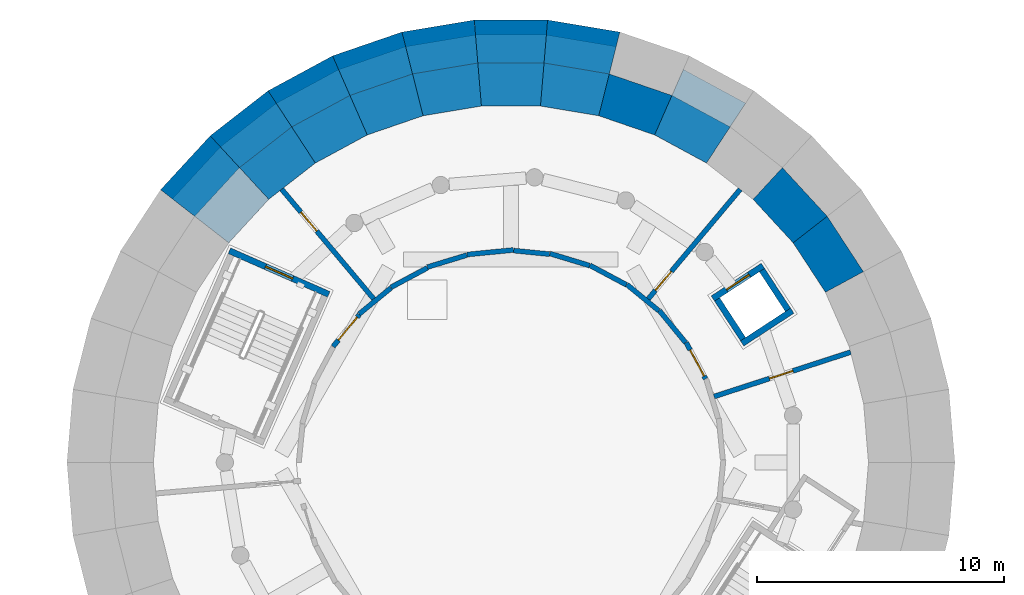
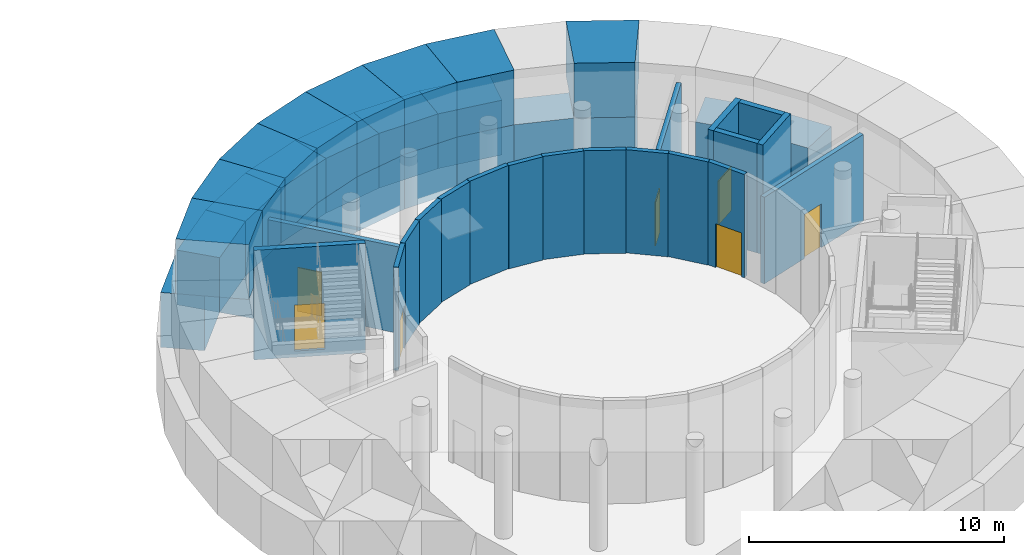
# One storey, part 72 of 125: 44 walls, 7 doors, 7 openings.
"""IFC4 building model written with IfcOpenShell, lengths in metres."""

from ifc_helpers import new_model, si_unit, direction, frame, frame_2d, origin, place, context, subcontext, project, spatial, polyline, rectangle, outline, extrude, material, layer, layer_set, type_object, element, fill, save


model = new_model("IFC4")

# Units and contexts
model_context = context("Model", 3, precision=1e-05, world=origin(), true_north=direction((0.0, 1.0)))
body_context = subcontext(model_context, "Body", "Model", "MODEL_VIEW")
ifc_project = project(units=[si_unit("LENGTHUNIT", "METRE"), si_unit("AREAUNIT", "SQUARE_METRE"), si_unit("VOLUMEUNIT", "CUBIC_METRE"), si_unit("PLANEANGLEUNIT", "RADIAN"), si_unit("MASSUNIT", "GRAM", prefix="KILO")], contexts=[model_context])

# Site, building, storey
site_placement = place(None, origin())
site = spatial("IfcSite", under=ifc_project, at=site_placement, CompositionType="ELEMENT")
building_placement = place(site_placement, origin())
building = spatial("IfcBuilding", under=site, at=building_placement, Name="Sun Court Science Centre", CompositionType="ELEMENT")
storey_placement = place(building_placement, frame((0.0, 0.0, 6.0)))
storey = spatial("IfcBuildingStorey", under=building, at=storey_placement, Name="L01", CompositionType="ELEMENT", Elevation=6.0)

# Wall, opening, door
ifc_material_1 = material(Name="Concrete block", Category="concrete")
ifc_layer_1 = layer(ifc_material_1, 0.199951171875)
ifc_layer_set_1 = layer_set([ifc_layer_1], Name="Concrete block")
wall_type_1 = type_object("IfcWallType", Name="Partition 200 block EI60", PredefinedType="PARTITIONING", material=ifc_layer_set_1)
wall_1_placement = place(storey_placement, frame((64.76953125, 101.27099609375, 0.0), z_axis=(0.0, 0.0, 1.0), x_axis=(-0.951052572977, -0.309029130398, 0.0)))
wall_1 = element("IfcWall", 1, at=wall_1_placement, inside=storey, type_object=wall_type_1, Name="L01 partition 006", PredefinedType="PARTITIONING", context=body_context, shape_type="SweptSolid", body=[
    extrude(rectangle(XDim=5.81689453125, YDim=0.199951171875, at=frame_2d((2.908447265625, 0.0))), origin(), (0.0, 0.0, 1.0), 4.14990234375),
])
opening_1_placement = place(wall_1_placement, frame((2.457275390625, 0.0, 0.0)))
opening_1 = element("IfcOpeningElement", 2, at=opening_1_placement, cuts=wall_1, Name="Opening D-L01-064", PredefinedType="OPENING", context=body_context, shape_type="SweptSolid", body=[
    extrude(rectangle(XDim=1.0, YDim=2.10009765625, at=frame_2d((0.5, 1.050048828125))), frame((0.0, 0.10986328125, 0.0), z_axis=(0.0, -1.0, 0.0), x_axis=(1.0, 0.0, 0.0)), (0.0, 0.0, 1.0), 0.219970703125),
])
ifc_material_2 = material(Name="Timber", Category="wood")
door_type_1 = type_object("IfcDoorType", Name="Door 1000x2100 single leaf", OperationType="NOTDEFINED", PredefinedType="DOOR", material=ifc_material_2)
door_1_placement = place(opening_1_placement, origin())
door_1 = element("IfcDoor", 3, at=door_1_placement, inside=storey, type_object=door_type_1, Name="Door D-L01-064", OperationType="SINGLE_SWING_LEFT", OverallHeight=2.10009765625, OverallWidth=1.0, PredefinedType="DOOR", context=body_context, shape_type="SweptSolid", body=[
    extrude(rectangle(XDim=1.0, YDim=2.10009765625, at=frame_2d((0.5, 1.050048828125))), frame((0.0, 0.02490234375, 0.0), z_axis=(0.0, -1.0, 0.0), x_axis=(1.0, 0.0, 0.0)), (0.0, 0.0, 1.0), 0.050048828125),
])
fill(opening_1, door_1)

wall_2_placement = place(storey_placement, frame((43.788818359375, 101.498046875, 0.0), z_axis=(0.0, 0.0, 1.0), x_axis=(0.634421768811, 0.772987075739, 0.0)))
wall_2 = element("IfcWall", 4, at=wall_2_placement, inside=storey, type_object=wall_type_1, Name="L01 partition 013", PredefinedType="PARTITIONING", context=body_context, shape_type="SweptSolid", body=[
    extrude(rectangle(XDim=1.672119140625, YDim=0.199951171875, at=frame_2d((0.8359375, 0.0))), origin(), (0.0, 0.0, 1.0), 4.949951171875),
])
opening_2_placement = place(wall_2_placement, frame((0.343994140625, 0.0, 0.0)))
opening_2 = element("IfcOpeningElement", 5, at=opening_2_placement, cuts=wall_2, Name="Opening D-L01-061", PredefinedType="OPENING", context=body_context, shape_type="SweptSolid", body=[
    extrude(rectangle(XDim=1.199951171875, YDim=2.10009765625, at=frame_2d((0.60009765625, 1.050048828125))), frame((0.0, 0.10986328125, 0.0), z_axis=(0.0, -1.0, 0.0), x_axis=(1.0, 0.0, 0.0)), (0.0, 0.0, 1.0), 0.219970703125),
])
ifc_material_3 = material(Name="Timber", Category="wood")
door_type_2 = type_object("IfcDoorType", Name="Door 1200x2100 single leaf", OperationType="NOTDEFINED", PredefinedType="DOOR", material=ifc_material_3)
door_2_placement = place(opening_2_placement, origin())
door_2 = element("IfcDoor", 6, at=door_2_placement, inside=storey, type_object=door_type_2, Name="Door D-L01-061", OperationType="SINGLE_SWING_LEFT", OverallHeight=2.10009765625, OverallWidth=1.199951171875, PredefinedType="DOOR", context=body_context, shape_type="SweptSolid", body=[
    extrude(rectangle(XDim=1.199951171875, YDim=2.10009765625, at=frame_2d((0.60009765625, 1.050048828125))), frame((0.0, 0.02490234375, 0.0), z_axis=(0.0, -1.0, 0.0), x_axis=(1.0, 0.0, 0.0)), (0.0, 0.0, 1.0), 0.050048828125),
])
fill(opening_2, door_2)

wall_3_placement = place(storey_placement, frame((58.102783203125, 101.665771484375, 0.0), z_axis=(0.0, 0.0, 1.0), x_axis=(0.471520219227, -0.881855250515, 0.0)))
wall_3 = element("IfcWall", 7, at=wall_3_placement, inside=storey, type_object=wall_type_1, Name="L01 partition 026", PredefinedType="PARTITIONING", context=body_context, shape_type="SweptSolid", body=[
    extrude(rectangle(XDim=1.671875, YDim=0.199951171875, at=frame_2d((0.8359375, 0.0))), origin(), (0.0, 0.0, 1.0), 4.949951171875),
])
opening_3_placement = place(wall_3_placement, frame((0.342529296875, 0.0, 0.0)))
opening_3 = element("IfcOpeningElement", 8, at=opening_3_placement, cuts=wall_3, Name="Opening D-L01-062", PredefinedType="OPENING", context=body_context, shape_type="SweptSolid", body=[
    extrude(rectangle(XDim=1.199951171875, YDim=2.10009765625, at=frame_2d((0.60009765625, 1.050048828125))), frame((0.0, 0.10986328125, 0.0), z_axis=(0.0, -1.0, 0.0), x_axis=(1.0, 0.0, 0.0)), (0.0, 0.0, 1.0), 0.219970703125),
])
door_3_placement = place(opening_3_placement, origin())
door_3 = element("IfcDoor", 9, at=door_3_placement, inside=storey, type_object=door_type_2, Name="Door D-L01-062", OperationType="SINGLE_SWING_LEFT", OverallHeight=2.10009765625, OverallWidth=1.199951171875, PredefinedType="DOOR", context=body_context, shape_type="SweptSolid", body=[
    extrude(rectangle(XDim=1.199951171875, YDim=2.10009765625, at=frame_2d((0.60009765625, 1.050048828125))), frame((0.0, 0.02490234375, 0.0), z_axis=(0.0, -1.0, 0.0), x_axis=(1.0, 0.0, 0.0)), (0.0, 0.0, 1.0), 0.050048828125),
])
fill(opening_3, door_3)

# Walls
wall_4_placement = place(storey_placement, frame((58.077392578125, 101.6650390625, 0.0), z_axis=(0.0, 0.0, 1.0), x_axis=(-0.634350169953, 0.773045834269, 0.0)))
element("IfcWall", 10, at=wall_4_placement, inside=storey, type_object=wall_type_1, Name="L01 partition 028", PredefinedType="PARTITIONING", context=body_context, shape_type="SweptSolid", body=[
    extrude(rectangle(XDim=1.67236328125, YDim=0.199951171875, at=frame_2d((0.836181640625, 0.0))), origin(), (0.0, 0.0, 1.0), 4.949951171875),
])
ifc_material_4 = material(Name="Concrete block", Category="concrete")
ifc_layer_2 = layer(ifc_material_4, 0.199951171875)
ifc_layer_set_2 = layer_set([ifc_layer_2], Name="Concrete block")
wall_type_2 = type_object("IfcWallType", Name="Partition 200 projection room block EI180", PredefinedType="PARTITIONING", material=ifc_layer_set_2)
wall_5_placement = place(storey_placement, frame((49.22216796875, 105.2294921875, 0.0), z_axis=(0.0, 0.0, 1.0), x_axis=(0.995187275823, 0.097991254916, 0.0)))
element("IfcWall", 11, at=wall_5_placement, inside=storey, type_object=wall_type_2, Name="L01 partition 003", PredefinedType="PARTITIONING", context=body_context, shape_type="SweptSolid", body=[
    extrude(rectangle(XDim=1.885986328125, YDim=0.199951171875, at=frame_2d((0.94287109375, 0.0))), origin(), (0.0, 0.0, 1.0), 4.949951171875),
])
for number, where, z_axis, x_axis, name in (
    (12, (47.61181640625, 104.720703125, 0.0), (0.0, 0.0, 1.0), (0.956954422545, 0.2902382352, 0.0), "L01 partition 005"),
    (13, (46.135498046875, 103.900634765625, 0.0), (0.0, 0.0, 1.0), (0.881896107333, 0.471443799271, 0.0), "L01 partition 008"),
):
    element("IfcWall", number, at=place(storey_placement, frame(where, z_axis=z_axis, x_axis=x_axis)), inside=storey, type_object=wall_type_2, Name=name, PredefinedType="PARTITIONING", context=body_context, shape_type="SweptSolid", body=[
        extrude(rectangle(XDim=1.673095703125, YDim=0.199951171875, at=frame_2d((0.83642578125, 0.0))), origin(), (0.0, 0.0, 1.0), 4.949951171875),
    ])
wall_6_placement = place(storey_placement, frame((44.84326171875, 102.81591796875, 0.0), z_axis=(0.0, 0.0, 1.0), x_axis=(0.772941126344, 0.634477749969, 0.0)))
element("IfcWall", 14, at=wall_6_placement, inside=storey, type_object=wall_type_2, Name="L01 partition 010", PredefinedType="PARTITIONING", context=body_context, shape_type="SweptSolid", body=[
    extrude(rectangle(XDim=1.671630859375, YDim=0.199951171875, at=frame_2d((0.8359375, 0.0))), origin(), (0.0, 0.0, 1.0), 4.949951171875),
])

# Wall, opening, door
wall_7_placement = place(storey_placement, frame((56.568115234375, 103.431396484375, 0.0), z_axis=(0.0, 0.0, 1.0), x_axis=(0.642810803577, 0.766024980535, 0.0)))
wall_7 = element("IfcWall", 15, at=wall_7_placement, inside=storey, type_object=wall_type_2, Name="L01 partition 011", PredefinedType="PARTITIONING", context=body_context, shape_type="SweptSolid", body=[
    extrude(rectangle(XDim=5.797607421875, YDim=0.199951171875, at=frame_2d((2.89892578125, 0.0))), origin(), (0.0, 0.0, 1.0), 4.14990234375),
])
opening_4_placement = place(wall_7_placement, frame((0.453857421875, 0.0, 0.0)))
opening_4 = element("IfcOpeningElement", 16, at=opening_4_placement, cuts=wall_7, Name="Opening D-L01-065", PredefinedType="OPENING", context=body_context, shape_type="SweptSolid", body=[
    extrude(rectangle(XDim=1.0, YDim=2.10009765625, at=frame_2d((0.5, 1.050048828125))), frame((0.0, 0.10986328125, 0.0), z_axis=(0.0, -1.0, 0.0), x_axis=(1.0, 0.0, 0.0)), (0.0, 0.0, 1.0), 0.219970703125),
])
door_4_placement = place(opening_4_placement, origin())
door_4 = element("IfcDoor", 17, at=door_4_placement, inside=storey, type_object=door_type_1, Name="Door D-L01-065", OperationType="SINGLE_SWING_RIGHT", OverallHeight=2.10009765625, OverallWidth=1.0, PredefinedType="DOOR", context=body_context, shape_type="SweptSolid", body=[
    extrude(rectangle(XDim=1.0, YDim=2.10009765625, at=frame_2d((0.5, 1.050048828125))), frame((0.0, 0.02490234375, 0.0), z_axis=(0.0, -1.0, 0.0), x_axis=(1.0, 0.0, 0.0)), (0.0, 0.0, 1.0), 0.050048828125),
])
fill(opening_4, door_4)

wall_8_placement = place(storey_placement, frame((41.707763671875, 107.87451171875, 0.0), z_axis=(0.0, 0.0, 1.0), x_axis=(0.642761379623, -0.76606645199, 0.0)))
wall_8 = element("IfcWall", 18, at=wall_8_placement, inside=storey, type_object=wall_type_2, Name="L01 partition 030", PredefinedType="PARTITIONING", context=body_context, shape_type="SweptSolid", body=[
    extrude(rectangle(XDim=5.79736328125, YDim=0.199951171875, at=frame_2d((2.898681640625, 0.0))), origin(), (0.0, 0.0, 1.0), 4.14990234375),
])
opening_5_placement = place(wall_8_placement, frame((1.209228515625, 0.0, 0.0)))
opening_5 = element("IfcOpeningElement", 19, at=opening_5_placement, cuts=wall_8, Name="Opening D-L01-066", PredefinedType="OPENING", context=body_context, shape_type="SweptSolid", body=[
    extrude(rectangle(XDim=1.0, YDim=2.10009765625, at=frame_2d((0.5, 1.050048828125))), frame((0.0, 0.10986328125, 0.0), z_axis=(0.0, -1.0, 0.0), x_axis=(1.0, 0.0, 0.0)), (0.0, 0.0, 1.0), 0.219970703125),
])
door_5_placement = place(opening_5_placement, origin())
door_5 = element("IfcDoor", 20, at=door_5_placement, inside=storey, type_object=door_type_1, Name="Door D-L01-066", OperationType="SINGLE_SWING_RIGHT", OverallHeight=2.10009765625, OverallWidth=1.0, PredefinedType="DOOR", context=body_context, shape_type="SweptSolid", body=[
    extrude(rectangle(XDim=1.0, YDim=2.10009765625, at=frame_2d((0.5, 1.050048828125))), frame((0.0, 0.02490234375, 0.0), z_axis=(0.0, -1.0, 0.0), x_axis=(1.0, 0.0, 0.0)), (0.0, 0.0, 1.0), 0.050048828125),
])
fill(opening_5, door_5)

# Walls
wall_9_placement = place(storey_placement, frame((56.992919921875, 102.953125, 0.0), z_axis=(0.0, 0.0, 1.0), x_axis=(-0.772928297309, 0.634493378388, 0.0)))
element("IfcWall", 21, at=wall_9_placement, inside=storey, type_object=wall_type_2, Name="L01 partition 031", PredefinedType="PARTITIONING", context=body_context, shape_type="SweptSolid", body=[
    extrude(rectangle(XDim=1.671875, YDim=0.199951171875, at=frame_2d((0.8359375, 0.0))), origin(), (0.0, 0.0, 1.0), 4.949951171875),
])
for number, where, z_axis, x_axis, name in (
    (22, (55.677978515625, 104.00439453125, 0.0), (0.0, 0.0, 1.0), (-0.881920158055, 0.471398806549, 0.0), "L01 partition 034"),
    (23, (54.183837890625, 104.782958984375, 0.0), (0.0, 0.0, 1.0), (-0.956917522804, 0.290359870764, 0.0), "L01 partition 036"),
):
    element("IfcWall", number, at=place(storey_placement, frame(where, z_axis=z_axis, x_axis=x_axis)), inside=storey, type_object=wall_type_2, Name=name, PredefinedType="PARTITIONING", context=body_context, shape_type="SweptSolid", body=[
        extrude(rectangle(XDim=1.67236328125, YDim=0.199951171875, at=frame_2d((0.836181640625, 0.0))), origin(), (0.0, 0.0, 1.0), 4.949951171875),
    ])
wall_10_placement = place(storey_placement, frame((52.565673828125, 105.24560546875, 0.0), z_axis=(0.0, 0.0, 1.0), x_axis=(-0.995173620648, 0.098129836271, 0.0)))
element("IfcWall", 24, at=wall_10_placement, inside=storey, type_object=wall_type_2, Name="L01 partition 040", PredefinedType="PARTITIONING", context=body_context, shape_type="SweptSolid", body=[
    extrude(rectangle(XDim=1.46044921875, YDim=0.199951171875, at=frame_2d((0.730224609375, 0.0))), origin(), (0.0, 0.0, 1.0), 4.949951171875),
])
ifc_material_5 = material(Name="Concrete C30/37", Category="concrete")
ifc_layer_3 = layer(ifc_material_5, 1.7451171875)
ifc_layer_set_3 = layer_set([ifc_layer_3], Name="Concrete C30/37")
wall_type_3 = type_object("IfcWallType", Name="RC drum wall exterior 1745", PredefinedType="SHEAR", material=ifc_layer_set_3)
wall_11_placement = place(storey_placement, frame((55.275146484375, 113.388671875, -0.300048828125), z_axis=(0.0, 0.0, 1.0), x_axis=(-0.986365055031, 0.164572106426, 0.0)))
element("IfcWall", 25, at=wall_11_placement, inside=storey, type_object=wall_type_3, Name="Drum wall L01 course 1 segment 8", PredefinedType="SHEAR", context=body_context, shape_type="SweptSolid", body=[
    extrude(outline(polyline([(0.0, -0.87255859375), (2.972900390625, -0.87255859375), (2.828369140625, 0.872314453125), (0.14453125, 0.872314453125), (0.0, -0.87255859375)])), origin(), (0.0, 0.0, 1.0), 2.625),
])
wall_12_placement = place(storey_placement, frame((52.486328125, 113.865966796875, -0.300048828125), z_axis=(0.0, 0.0, 1.0), x_axis=(-1.0, 0.0, 0.0)))
element("IfcWall", 26, at=wall_12_placement, inside=storey, type_object=wall_type_3, Name="Drum wall L01 course 1 segment 9", PredefinedType="SHEAR", context=body_context, shape_type="SweptSolid", body=[
    extrude(outline(polyline([(0.0, -0.87255859375), (2.97265625, -0.87255859375), (2.828125, 0.872314453125), (0.14453125, 0.872314453125), (0.0, -0.87255859375)])), origin(), (0.0, 0.0, 1.0), 2.625),
])
wall_13_placement = place(storey_placement, frame((49.6572265625, 113.8779296875, -0.300048828125), z_axis=(0.0, 0.0, 1.0), x_axis=(-0.986365055031, -0.164572106426, 0.0)))
element("IfcWall", 27, at=wall_13_placement, inside=storey, type_object=wall_type_3, Name="Drum wall L01 course 1 segment 10", PredefinedType="SHEAR", context=body_context, shape_type="SweptSolid", body=[
    extrude(outline(polyline([(0.0, -0.87255859375), (2.972900390625, -0.87255859375), (2.828369140625, 0.872314453125), (0.14453125, 0.872314453125), (0.0, -0.87255859375)])), origin(), (0.0, 0.0, 1.0), 2.625),
])
wall_14_placement = place(storey_placement, frame((46.864501953125, 113.424072265625, -0.300048828125), z_axis=(0.0, 0.0, 1.0), x_axis=(-0.945811972857, -0.324714816417, 0.0)))
element("IfcWall", 28, at=wall_14_placement, inside=storey, type_object=wall_type_3, Name="Drum wall L01 course 1 segment 11", PredefinedType="SHEAR", context=body_context, shape_type="SweptSolid", body=[
    extrude(outline(polyline([(0.0, -0.87255859375), (2.97265625, -0.87255859375), (2.828125, 0.87255859375), (0.14453125, 0.872314453125), (0.0, -0.87255859375)])), origin(), (0.0, 0.0, 1.0), 2.625),
])
wall_15_placement = place(storey_placement, frame((44.184814453125, 112.5166015625, -0.300048828125), z_axis=(0.0, 0.0, 1.0), x_axis=(-0.879506822357, -0.47588627783, 0.0)))
element("IfcWall", 29, at=wall_15_placement, inside=storey, type_object=wall_type_3, Name="Drum wall L01 course 1 segment 12", PredefinedType="SHEAR", context=body_context, shape_type="SweptSolid", body=[
    extrude(outline(polyline([(0.0, -0.87255859375), (2.97314453125, -0.872314453125), (2.828369140625, 0.87255859375), (0.14453125, 0.87255859375), (0.0, -0.87255859375)])), origin(), (0.0, 0.0, 1.0), 2.625),
])
wall_16_placement = place(storey_placement, frame((41.690673828125, 111.180419921875, -0.300048828125), z_axis=(0.0, 0.0, 1.0), x_axis=(-0.78913990845, -0.614213484785, 0.0)))
element("IfcWall", 30, at=wall_16_placement, inside=storey, type_object=wall_type_3, Name="Drum wall L01 course 1 segment 13", PredefinedType="SHEAR", context=body_context, shape_type="SweptSolid", body=[
    extrude(outline(polyline([(0.0, -0.87255859375), (2.972900390625, -0.87255859375), (2.828125, 0.87255859375), (0.144287109375, 0.872314453125), (0.0, -0.87255859375)])), origin(), (0.0, 0.0, 1.0), 2.625),
])
wall_17_placement = place(storey_placement, frame((39.45068359375, 109.4521484375, -0.300048828125), z_axis=(0.0, 0.0, 1.0), x_axis=(-0.677266435816, -0.73573784388, 0.0)))
element("IfcWall", 31, at=wall_17_placement, inside=storey, type_object=wall_type_3, Name="Drum wall L01 course 1 segment 14", PredefinedType="SHEAR", context=body_context, shape_type="SweptSolid", body=[
    extrude(outline(polyline([(0.0, -0.872314453125), (2.972900390625, -0.872314453125), (2.828125, 0.872314453125), (0.14453125, 0.87255859375), (0.0, -0.872314453125)])), origin(), (0.0, 0.0, 1.0), 2.625),
])
wall_18_placement = place(storey_placement, frame((64.560302734375, 104.056640625, -0.300048828125), z_axis=(0.0, 0.0, 1.0), x_axis=(-0.546950284291, 0.837165089163, 0.0)))
element("IfcWall", 32, at=wall_18_placement, inside=storey, type_object=wall_type_3, Name="Drum wall L01 course 1 inner ring segment 3", PredefinedType="SHEAR", context=body_context, shape_type="SweptSolid", body=[
    extrude(outline(polyline([(-0.000244140625, -0.87255859375), (2.68359375, -0.87255859375), (2.5390625, 0.87255859375), (0.14453125, 0.872314453125), (-0.000244140625, -0.87255859375)])), origin(), (0.0, 0.0, 1.0), 2.625),
])
wall_19_placement = place(storey_placement, frame((63.180908203125, 106.189453125, -0.300048828125), z_axis=(0.0, 0.0, 1.0), x_axis=(-0.677255547469, 0.735747866747, 0.0)))
element("IfcWall", 33, at=wall_19_placement, inside=storey, type_object=wall_type_3, Name="Drum wall L01 course 1 inner ring segment 4", PredefinedType="SHEAR", context=body_context, shape_type="SweptSolid", body=[
    extrude(outline(polyline([(0.0, -0.872802734375), (2.683837890625, -0.872314453125), (2.539306640625, 0.872314453125), (0.14453125, 0.872314453125), (0.0, -0.872802734375)])), origin(), (0.0, 0.0, 1.0), 2.625),
])
wall_20_placement = place(storey_placement, frame((59.47216796875, 109.635986328125, -0.300048828125), z_axis=(0.0, 0.0, 1.0), x_axis=(-0.879455425511, 0.475981254399, 0.0)))
element("IfcWall", 34, at=wall_20_placement, inside=storey, type_object=wall_type_3, Name="Drum wall L01 course 1 inner ring segment 6", PredefinedType="SHEAR", context=body_context, shape_type="SweptSolid", body=[
    extrude(outline(polyline([(0.0, -0.87255859375), (2.68359375, -0.8720703125), (2.5390625, 0.87255859375), (0.14453125, 0.87255859375), (0.0, -0.87255859375)])), origin(), (0.0, 0.0, 1.0), 2.625),
])
wall_21_placement = place(storey_placement, frame((57.243896484375, 110.85546875, -0.300048828125), z_axis=(0.0, 0.0, 1.0), x_axis=(-0.945825472099, 0.324675493885, 0.0)))
element("IfcWall", 35, at=wall_21_placement, inside=storey, type_object=wall_type_3, Name="Drum wall L01 course 1 inner ring segment 7", PredefinedType="SHEAR", context=body_context, shape_type="SweptSolid", body=[
    extrude(outline(polyline([(0.0, -0.872314453125), (2.68359375, -0.87255859375), (2.5390625, 0.87255859375), (0.14453125, 0.87255859375), (0.0, -0.872314453125)])), origin(), (0.0, 0.0, 1.0), 2.625),
])
wall_22_placement = place(storey_placement, frame((54.84521484375, 111.69140625, -0.300048828125), z_axis=(0.0, 0.0, 1.0), x_axis=(-0.986364402138, 0.164576019504, 0.0)))
element("IfcWall", 36, at=wall_22_placement, inside=storey, type_object=wall_type_3, Name="Drum wall L01 course 1 inner ring segment 8", PredefinedType="SHEAR", context=body_context, shape_type="SweptSolid", body=[
    extrude(outline(polyline([(-0.000244140625, -0.87255859375), (2.68359375, -0.87255859375), (2.5390625, 0.872314453125), (0.14453125, 0.87255859375), (-0.000244140625, -0.87255859375)])), origin(), (0.0, 0.0, 1.0), 2.625),
])
wall_23_placement = place(storey_placement, frame((52.341796875, 112.12109375, -0.300048828125), z_axis=(0.0, 0.0, 1.0), x_axis=(-1.0, 0.0, 0.0)))
element("IfcWall", 37, at=wall_23_placement, inside=storey, type_object=wall_type_3, Name="Drum wall L01 course 1 inner ring segment 9", PredefinedType="SHEAR", context=body_context, shape_type="SweptSolid", body=[
    extrude(outline(polyline([(0.0, -0.87255859375), (2.68359375, -0.87255859375), (2.5390625, 0.872314453125), (0.14453125, 0.872314453125), (0.0, -0.87255859375)])), origin(), (0.0, 0.0, 1.0), 2.625),
])
wall_24_placement = place(storey_placement, frame((49.8017578125, 112.133056640625, -0.300048828125), z_axis=(0.0, 0.0, 1.0), x_axis=(-0.986364402138, -0.164576019504, 0.0)))
element("IfcWall", 38, at=wall_24_placement, inside=storey, type_object=wall_type_3, Name="Drum wall L01 course 1 inner ring segment 10", PredefinedType="SHEAR", context=body_context, shape_type="SweptSolid", body=[
    extrude(outline(polyline([(0.0, -0.87255859375), (2.683837890625, -0.87255859375), (2.5390625, 0.87255859375), (0.14453125, 0.872314453125), (0.0, -0.87255859375)])), origin(), (0.0, 0.0, 1.0), 2.625),
])
wall_25_placement = place(storey_placement, frame((47.29443359375, 111.726806640625, -0.300048828125), z_axis=(0.0, 0.0, 1.0), x_axis=(-0.945825472099, -0.324675493885, 0.0)))
element("IfcWall", 39, at=wall_25_placement, inside=storey, type_object=wall_type_3, Name="Drum wall L01 course 1 inner ring segment 11", PredefinedType="SHEAR", context=body_context, shape_type="SweptSolid", body=[
    extrude(outline(polyline([(0.000244140625, -0.87255859375), (2.683837890625, -0.872314453125), (2.539306640625, 0.87255859375), (0.144775390625, 0.87255859375), (0.000244140625, -0.87255859375)])), origin(), (0.0, 0.0, 1.0), 2.625),
])
wall_26_placement = place(storey_placement, frame((44.887939453125, 110.913330078125, -0.300048828125), z_axis=(0.0, 0.0, 1.0), x_axis=(-0.879455425511, -0.475981254399, 0.0)))
element("IfcWall", 40, at=wall_26_placement, inside=storey, type_object=wall_type_3, Name="Drum wall L01 course 1 inner ring segment 12", PredefinedType="SHEAR", context=body_context, shape_type="SweptSolid", body=[
    extrude(outline(polyline([(0.0, -0.8720703125), (2.68359375, -0.87255859375), (2.5390625, 0.87255859375), (0.14453125, 0.87255859375), (0.0, -0.8720703125)])), origin(), (0.0, 0.0, 1.0), 2.625),
])
wall_27_placement = place(storey_placement, frame((42.6484375, 109.71484375, -0.300048828125), z_axis=(0.0, 0.0, 1.0), x_axis=(-0.789141546579, -0.614211380115, 0.0)))
element("IfcWall", 41, at=wall_27_placement, inside=storey, type_object=wall_type_3, Name="Drum wall L01 course 1 inner ring segment 13", PredefinedType="SHEAR", context=body_context, shape_type="SweptSolid", body=[
    extrude(outline(polyline([(0.0, -0.87255859375), (2.68359375, -0.872314453125), (2.5390625, 0.87255859375), (0.14453125, 0.87255859375), (0.0, -0.87255859375)])), origin(), (0.0, 0.0, 1.0), 2.625),
])
ifc_material_6 = material(Name="Concrete C30/37", Category="concrete")
ifc_layer_4 = layer(ifc_material_6, 2.89208984375)
ifc_layer_set_4 = layer_set([ifc_layer_4], Name="Concrete C30/37")
wall_type_4 = type_object("IfcWallType", Name="RC drum wall exterior 2892", PredefinedType="SHEAR", material=ifc_layer_set_4)
wall_28_placement = place(storey_placement, frame((59.82861328125, 110.094970703125, 2.324951171875), z_axis=(0.0, 0.0, 1.0), x_axis=(-0.879446092425, 0.475998498441, 0.0)))
element("IfcWall", 42, at=wall_28_placement, inside=storey, type_object=wall_type_4, Name="Drum wall L01 course 2 segment 6", PredefinedType="SHEAR", context=body_context, shape_type="SweptSolid", body=[
    extrude(outline(polyline([(0.0, -1.446044921875), (2.873779296875, -1.446044921875), (2.634033203125, 1.44580078125), (0.239501953125, 1.44580078125), (0.0, -1.446044921875)])), origin(), (0.0, 0.0, 1.0), 2.625),
])
wall_29_placement = place(storey_placement, frame((55.033447265625, 112.241455078125, 2.324951171875), z_axis=(0.0, 0.0, 1.0), x_axis=(-0.986366355921, 0.164564309338, 0.0)))
element("IfcWall", 43, at=wall_29_placement, inside=storey, type_object=wall_type_4, Name="Drum wall L01 course 2 segment 8", PredefinedType="SHEAR", context=body_context, shape_type="SweptSolid", body=[
    extrude(outline(polyline([(0.0, -1.44580078125), (2.87353515625, -1.446044921875), (2.634033203125, 1.44580078125), (0.23974609375, 1.446044921875), (0.0, -1.44580078125)])), origin(), (0.0, 0.0, 1.0), 2.625),
])
wall_30_placement = place(storey_placement, frame((52.436767578125, 112.694580078125, 2.324951171875), z_axis=(0.0, 0.0, 1.0), x_axis=(-1.0, 0.0, 0.0)))
element("IfcWall", 44, at=wall_30_placement, inside=storey, type_object=wall_type_4, Name="Drum wall L01 course 2 segment 9", PredefinedType="SHEAR", context=body_context, shape_type="SweptSolid", body=[
    extrude(outline(polyline([(-0.000244140625, -1.446044921875), (2.873779296875, -1.446044921875), (2.634033203125, 1.44580078125), (0.239501953125, 1.44580078125), (-0.000244140625, -1.446044921875)])), origin(), (0.0, 0.0, 1.0), 2.625),
])
wall_31_placement = place(storey_placement, frame((49.801025390625, 112.71435546875, 2.324951171875), z_axis=(0.0, 0.0, 1.0), x_axis=(-0.986366355921, -0.164564309338, 0.0)))
element("IfcWall", 45, at=wall_31_placement, inside=storey, type_object=wall_type_4, Name="Drum wall L01 course 2 segment 10", PredefinedType="SHEAR", context=body_context, shape_type="SweptSolid", body=[
    extrude(outline(polyline([(0.0, -1.446044921875), (2.873779296875, -1.44580078125), (2.634033203125, 1.446044921875), (0.239501953125, 1.44580078125), (0.0, -1.446044921875)])), origin(), (0.0, 0.0, 1.0), 2.625),
])
wall_32_placement = place(storey_placement, frame((47.197998046875, 112.300048828125, 2.324951171875), z_axis=(0.0, 0.0, 1.0), x_axis=(-0.945816295328, -0.324702225882, 0.0)))
element("IfcWall", 46, at=wall_32_placement, inside=storey, type_object=wall_type_4, Name="Drum wall L01 course 2 segment 11", PredefinedType="SHEAR", context=body_context, shape_type="SweptSolid", body=[
    extrude(outline(polyline([(0.0, -1.44580078125), (2.873779296875, -1.446044921875), (2.63427734375, 1.44580078125), (0.239501953125, 1.446044921875), (0.0, -1.44580078125)])), origin(), (0.0, 0.0, 1.0), 2.625),
])
wall_33_placement = place(storey_placement, frame((44.69873046875, 111.462890625, 2.324951171875), z_axis=(0.0, 0.0, 1.0), x_axis=(-0.879446092425, -0.475998498441, 0.0)))
element("IfcWall", 47, at=wall_33_placement, inside=storey, type_object=wall_type_4, Name="Drum wall L01 course 2 segment 12", PredefinedType="SHEAR", context=body_context, shape_type="SweptSolid", body=[
    extrude(outline(polyline([(0.0, -1.446044921875), (2.873779296875, -1.446044921875), (2.63427734375, 1.44580078125), (0.23974609375, 1.44580078125), (0.0, -1.446044921875)])), origin(), (0.0, 0.0, 1.0), 2.625),
])
wall_34_placement = place(storey_placement, frame((42.37109375, 110.2255859375, 2.324951171875), z_axis=(0.0, 0.0, 1.0), x_axis=(-0.789178347827, -0.614164094783, 0.0)))
element("IfcWall", 48, at=wall_34_placement, inside=storey, type_object=wall_type_4, Name="Drum wall L01 course 2 segment 13", PredefinedType="SHEAR", context=body_context, shape_type="SweptSolid", body=[
    extrude(outline(polyline([(0.0, -1.44580078125), (2.873779296875, -1.44580078125), (2.6337890625, 1.446044921875), (0.2392578125, 1.446044921875), (0.0, -1.44580078125)])), origin(), (0.0, 0.0, 1.0), 2.625),
])
wall_35_placement = place(storey_placement, frame((40.279052734375, 108.622314453125, 2.324951171875), z_axis=(0.0, 0.0, 1.0), x_axis=(-0.677277359134, -0.735727788523, 0.0)))
element("IfcWall", 49, at=wall_35_placement, inside=storey, type_object=wall_type_4, Name="Drum wall L01 course 2 segment 14", PredefinedType="SHEAR", context=body_context, shape_type="SweptSolid", body=[
    extrude(outline(polyline([(0.0, -1.44580078125), (2.873779296875, -1.44580078125), (2.634033203125, 1.44580078125), (0.239501953125, 1.446044921875), (0.0, -1.44580078125)])), origin(), (0.0, 0.0, 1.0), 2.625),
])
ifc_material_7 = material(Name="Concrete C30/37", Category="concrete")
ifc_layer_5 = layer(ifc_material_7, 0.25)
ifc_layer_set_5 = layer_set([ifc_layer_5], Name="Concrete C30/37")
wall_type_5 = type_object("IfcWallType", Name="RC shaft wall 250", PredefinedType="SHEAR", material=ifc_layer_set_5)
wall_36_placement = place(storey_placement, frame((60.37451171875, 101.625732421875, -0.300048828125), z_axis=(0.0, 0.0, 1.0), x_axis=(0.83717173143, 0.546940117467, 0.0)))
element("IfcWall", 50, at=wall_36_placement, inside=storey, type_object=wall_type_5, Name="Lift core PL1 wall S, L01", PredefinedType="SHEAR", context=body_context, shape_type="SweptSolid", body=[
    extrude(rectangle(XDim=2.425048828125, YDim=0.25, at=frame_2d((1.21240234375, 0.0))), origin(), (0.0, 0.0, 1.0), 5.25),
])
wall_37_placement = place(storey_placement, frame((62.231689453125, 102.98828125, -0.300048828125), z_axis=(0.0, 0.0, 1.0), x_axis=(-0.546979396142, 0.837146068614, 0.0)))
element("IfcWall", 51, at=wall_37_placement, inside=storey, type_object=wall_type_5, Name="Lift core PL1 wall E, L01", PredefinedType="SHEAR", context=body_context, shape_type="SweptSolid", body=[
    extrude(rectangle(XDim=1.925048828125, YDim=0.25, at=frame_2d((0.96240234375, 0.0))), origin(), (0.0, 0.0, 1.0), 5.25),
])

# Wall, opening, door
wall_38_placement = place(storey_placement, frame((59.18505859375, 103.446533203125, -0.300048828125), z_axis=(0.0, 0.0, 1.0), x_axis=(0.837141612847, 0.546986215586, 0.0)))
wall_38 = element("IfcWall", 52, at=wall_38_placement, inside=storey, type_object=wall_type_5, Name="Lift core PL1 wall N, L01", PredefinedType="SHEAR", context=body_context, shape_type="SweptSolid", body=[
    extrude(rectangle(XDim=2.425048828125, YDim=0.25, at=frame_2d((1.21240234375, 0.0))), origin(), (0.0, 0.0, 1.0), 5.25),
])
opening_6_placement = place(wall_38_placement, frame((0.66259765625, 0.0, 0.300048828125)))
opening_6 = element("IfcOpeningElement", 53, at=opening_6_placement, cuts=wall_38, Name="Opening D-L01-059", PredefinedType="OPENING", context=body_context, shape_type="SweptSolid", body=[
    extrude(rectangle(XDim=1.10009765625, YDim=2.10009765625, at=frame_2d((0.550048828125, 1.050048828125))), frame((0.0, 0.135009765625, 0.0), z_axis=(0.0, -1.0, 0.0), x_axis=(1.0, 0.0, 0.0)), (0.0, 0.0, 1.0), 0.27001953125),
])
ifc_material_8 = material(Name="Steel", Category="steel")
door_type_3 = type_object("IfcDoorType", Name="Lift landing door 1100x2100 sliding", OperationType="DOUBLE_DOOR_SLIDING", PredefinedType="DOOR", material=ifc_material_8)
door_6_placement = place(opening_6_placement, origin())
door_6 = element("IfcDoor", 54, at=door_6_placement, inside=storey, type_object=door_type_3, Name="Lift landing door D-L01-059", OperationType="DOUBLE_DOOR_SLIDING", OverallHeight=2.10009765625, OverallWidth=1.10009765625, PredefinedType="DOOR", context=body_context, shape_type="SweptSolid", body=[
    extrude(rectangle(XDim=1.10009765625, YDim=2.10009765625, at=frame_2d((0.550048828125, 1.050048828125))), frame((0.0, 0.02490234375, 0.0), z_axis=(0.0, -1.0, 0.0), x_axis=(1.0, 0.0, 0.0)), (0.0, 0.0, 1.0), 0.050048828125),
])
fill(opening_6, door_6)

# Wall
wall_39_placement = place(storey_placement, frame((60.410888671875, 101.798828125, -0.300048828125), z_axis=(0.0, 0.0, 1.0), x_axis=(-0.547037472582, 0.837108119416, 0.0)))
element("IfcWall", 55, at=wall_39_placement, inside=storey, type_object=wall_type_5, Name="Lift core PL1 wall W, L01", PredefinedType="SHEAR", context=body_context, shape_type="SweptSolid", body=[
    extrude(rectangle(XDim=1.9248046875, YDim=0.25, at=frame_2d((0.96240234375, 0.0))), origin(), (0.0, 0.0, 1.0), 5.25),
])

# Wall, opening, door
ifc_material_9 = material(Name="Concrete C30/37", Category="concrete")
ifc_layer_6 = layer(ifc_material_9, 0.25)
ifc_layer_set_6 = layer_set([ifc_layer_6], Name="Concrete C30/37")
wall_type_6 = type_object("IfcWallType", Name="RC stair core wall 250", PredefinedType="SHEAR", material=ifc_layer_set_6)
wall_40_placement = place(storey_placement, frame((43.61572265625, 103.615234375, -0.300048828125), z_axis=(0.0, 0.0, 1.0), x_axis=(-0.915768514631, 0.401706394785, 0.0)))
wall_40 = element("IfcWall", 56, at=wall_40_placement, inside=storey, type_object=wall_type_6, Name="Stair core PS2 wall S, L01", PredefinedType="SHEAR", context=body_context, shape_type="SweptSolid", body=[
    extrude(rectangle(XDim=4.400146484375, YDim=0.25, at=frame_2d((2.2001953125, 0.0))), origin(), (0.0, 0.0, 1.0), 5.25),
])
opening_7_placement = place(wall_40_placement, frame((1.60009765625, 0.0, 0.300048828125)))
opening_7 = element("IfcOpeningElement", 57, at=opening_7_placement, cuts=wall_40, Name="Opening D-L01-058", PredefinedType="OPENING", context=body_context, shape_type="SweptSolid", body=[
    extrude(rectangle(XDim=1.199951171875, YDim=2.199951171875, at=frame_2d((0.60009765625, 1.10009765625))), frame((0.0, 0.135009765625, 0.0), z_axis=(0.0, -1.0, 0.0), x_axis=(1.0, 0.0, 0.0)), (0.0, 0.0, 1.0), 0.27001953125),
])
ifc_material_10 = material(Name="Steel", Category="steel")
door_type_4 = type_object("IfcDoorType", Name="Door 1200x2200 single leaf FD60", OperationType="NOTDEFINED", PredefinedType="DOOR", material=ifc_material_10)
door_7_placement = place(opening_7_placement, origin())
door_7 = element("IfcDoor", 58, at=door_7_placement, inside=storey, type_object=door_type_4, Name="Door D-L01-058", OperationType="SINGLE_SWING_LEFT", OverallHeight=2.199951171875, OverallWidth=1.199951171875, PredefinedType="DOOR", context=body_context, shape_type="SweptSolid", body=[
    extrude(rectangle(XDim=1.199951171875, YDim=2.199951171875, at=frame_2d((0.60009765625, 1.10009765625))), frame((0.0, 0.02490234375, 0.0), z_axis=(0.0, -1.0, 0.0), x_axis=(1.0, 0.0, 0.0)), (0.0, 0.0, 1.0), 0.050048828125),
])
fill(opening_7, door_7)

save(model, "model.ifc")
